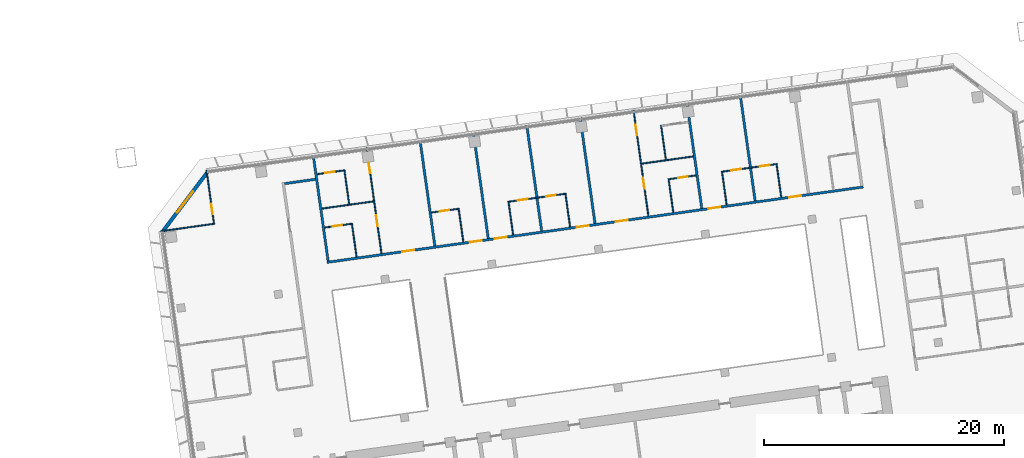
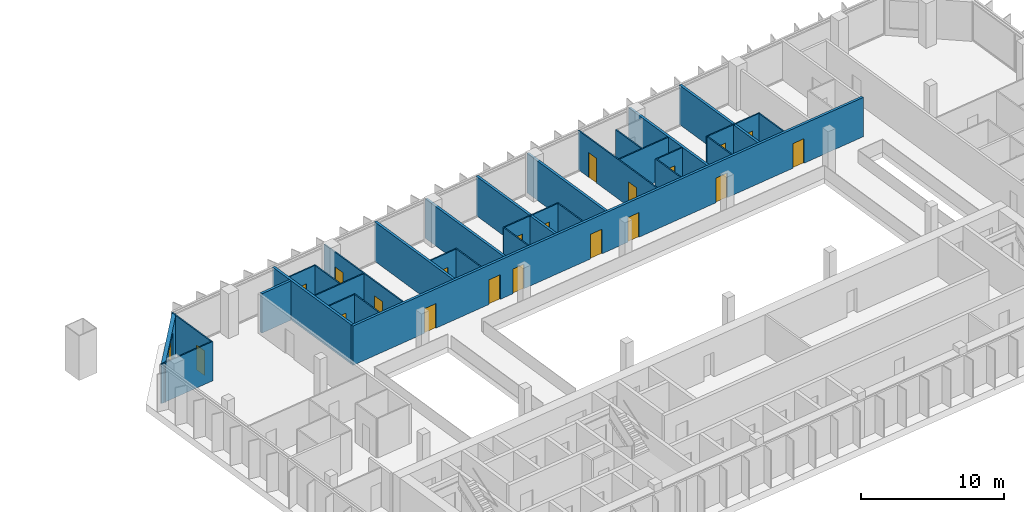
# One storey, part 20 of 25: 31 walls, 20 doors, 1 window, 21 openings.
"""IFC4 building model written with IfcOpenShell, lengths in metres."""

import ifcopenshell
import ifcopenshell.guid

model = None  # the IFC model being written
_history = None  # IfcOwnerHistory: only IFC2X3 demands one
_inside = {}  # id of a spatial element -> (the spatial element, [elements in it])
_under = {}  # id of a project, library or spatial element -> (it, [spatial elements below it])
_declared = {}  # id of a project -> (the project, [libraries it declares])
_typed = {}  # id of a type object -> (the type object, [elements of that type])
_made_of = {}  # id of a material, layer set ... -> (it, [elements and type objects made of it])


def new_model(schema):
    """Start an empty IFC model of exactly this schema.

    Asked for "IFC4X3", IfcOpenShell would pick the latest addendum, in which some entities
    have other attributes; the version numbers below select the first issue.
    IFC2X3 requires an IfcOwnerHistory on every rooted entity: one is made here for all.
    """
    global model, _history
    if schema == "IFC4X3":
        model = ifcopenshell.file(schema_version=(4, 3, 0, 0))
    else:
        model = ifcopenshell.file(schema=schema)
    _inside.clear()
    _under.clear()
    _declared.clear()
    _typed.clear()
    _made_of.clear()
    _history = None
    if model.schema == "IFC2X3":
        org = make("IfcOrganization", Name="unknown")
        user = make(
            "IfcPersonAndOrganization",
            ThePerson=make("IfcPerson", FamilyName="unknown"),
            TheOrganization=org,
        )
        app = make(
            "IfcApplication",
            ApplicationDeveloper=org,
            Version="unknown",
            ApplicationFullName="unknown",
            ApplicationIdentifier="unknown",
        )
        _history = make(
            "IfcOwnerHistory",
            OwningUser=user,
            OwningApplication=app,
            ChangeAction="ADDED",
            CreationDate=0,
        )
    return model


def make(cls, **values):
    """One entity of the class cls with the attributes given. An attribute that is None is left unset."""
    return model.create_entity(
        cls, **{name: value for name, value in values.items() if value is not None}
    )


def rooted(cls, **values):
    """An entity with a GlobalId (a new one), such as an element, a storey or a relation."""
    return make(cls, GlobalId=ifcopenshell.guid.new(), OwnerHistory=_history, **values)


def si_unit(unit_type, name, prefix=None):
    """IfcSIUnit, for example si_unit("LENGTHUNIT", "METRE", prefix="MILLI")."""
    return make("IfcSIUnit", UnitType=unit_type, Prefix=prefix, Name=name)


def assignment(units):
    """IfcUnitAssignment: the units of a project."""
    return None if units is None else make("IfcUnitAssignment", Units=units)


def point(xyz):
    """IfcCartesianPoint."""
    return None if xyz is None else make("IfcCartesianPoint", Coordinates=xyz)


def direction(xyz):
    """IfcDirection."""
    return None if xyz is None else make("IfcDirection", DirectionRatios=xyz)


def frame(location, z_axis=None, x_axis=None):
    """IfcAxis2Placement3D, a coordinate frame: its origin and axes. An axis left out is left unset."""
    return make(
        "IfcAxis2Placement3D",
        Location=point(location),
        Axis=direction(z_axis),
        RefDirection=direction(x_axis),
    )


def frame_2d(location, x_axis=None):
    """IfcAxis2Placement2D, a coordinate frame in the plane: its origin and x axis."""
    return make(
        "IfcAxis2Placement2D", Location=point(location), RefDirection=direction(x_axis)
    )


def origin():
    """The frame at (0, 0, 0) with its axes left unset."""
    return frame((0.0, 0.0, 0.0))


def place(relative_to, where):
    """IfcLocalPlacement: puts the frame where relative to a parent placement (None: the world)."""
    return make(
        "IfcLocalPlacement", PlacementRelTo=relative_to, RelativePlacement=where
    )


def context(
    kind, dimensions, precision=None, world=None, true_north=None, identifier=None
):
    """IfcGeometricRepresentationContext, for example the 3D "Model" context."""
    return make(
        "IfcGeometricRepresentationContext",
        ContextIdentifier=identifier,
        ContextType=kind,
        CoordinateSpaceDimension=dimensions,
        Precision=precision,
        WorldCoordinateSystem=world,
        TrueNorth=true_north,
    )


def subcontext(parent, identifier, kind, view, scale=None):
    """IfcGeometricRepresentationSubContext, for example "Body" below "Model"."""
    return make(
        "IfcGeometricRepresentationSubContext",
        ContextIdentifier=identifier,
        ContextType=kind,
        ParentContext=parent,
        TargetScale=scale,
        TargetView=view,
    )


def project(units=None, contexts=None):
    """IfcProject with its units and contexts."""
    return rooted(
        "IfcProject",
        Name="project",
        RepresentationContexts=contexts,
        UnitsInContext=assignment(units),
    )


def spatial(cls, under=None, at=None, **own):
    """A site, building, storey or space (cls), placed at a placement, below another one or the project."""
    s = rooted(cls, ObjectPlacement=at, **own)
    if under is not None:
        _under.setdefault(under.id(), (under, []))[1].append(s)
    return s


def profile(cls, at=None, kind="AREA", **sizes):
    """A parametric profile (cls). Its sizes go by their IFC names, for example OverallWidth=200.0."""
    return make(cls, ProfileType=kind, Position=at, **sizes)


def rectangle(**sizes):
    """IfcRectangleProfileDef."""
    return profile("IfcRectangleProfileDef", **sizes)


def extrude(swept, where, along, depth):
    """IfcExtrudedAreaSolid: the profile swept, set in the frame where, extruded along a direction by depth."""
    return make(
        "IfcExtrudedAreaSolid",
        SweptArea=swept,
        Position=where,
        ExtrudedDirection=direction(along),
        Depth=depth,
    )


def shape(context_of_items, identifier, shape_type, items):
    """IfcShapeRepresentation: the items that make up one representation, for example the "Body"."""
    return make(
        "IfcShapeRepresentation",
        ContextOfItems=context_of_items,
        RepresentationIdentifier=identifier,
        RepresentationType=shape_type,
        Items=items,
    )


def material(Name=None, Category=None):
    """IfcMaterial."""
    return make("IfcMaterial", Name=Name, Category=Category)


def layer(
    of_material, thickness, ventilated=None, Name=None, Category=None, Priority=None
):
    """IfcMaterialLayer: one layer of a wall or slab, of a material (None: an air gap)."""
    return make(
        "IfcMaterialLayer",
        Material=of_material,
        LayerThickness=thickness,
        IsVentilated=ventilated,
        Name=Name,
        Category=Category,
        Priority=Priority,
    )


def layer_set(layers, Name=None):
    """IfcMaterialLayerSet."""
    return make("IfcMaterialLayerSet", MaterialLayers=layers, LayerSetName=Name)


def made_of(thing, what):
    """Note that an element or type object is made of a material, layer set ...; save() writes the relation."""
    if what is not None:
        _made_of.setdefault(what.id(), (what, []))[1].append(thing)
    return thing


def type_object(cls, material=None, **own):
    """A type object (cls), such as IfcWallType, which elements share."""
    return made_of(rooted(cls, **own), material)


def element(
    cls,
    number,
    at=None,
    inside=None,
    cuts=None,
    type_object=None,
    material=None,
    context=None,
    identifier="Body",
    shape_type=None,
    held_by="IfcProductDefinitionShape",
    body=None,
    shapes=None,
    **own,
):
    """One element of the class cls, such as IfcWall. Its Tag is "e" and its number.

    at: its placement. inside: the storey or other place that contains it. cuts: it is an
    opening in that element (IfcRelVoidsElement). A single representation is given by context,
    identifier, shape_type and body (its items); several are given by shapes. held_by: the class
    of the entity that holds the representations. save() writes the other relations.
    """
    e = rooted(cls, Tag="e%d" % number, ObjectPlacement=at, **own)
    if body is not None:
        shapes = [shape(context, identifier, shape_type, body)]
    if shapes is not None:
        e.Representation = make(held_by, Representations=shapes)
    if inside is not None:
        _inside.setdefault(inside.id(), (inside, []))[1].append(e)
    if cuts is not None:
        rooted(
            "IfcRelVoidsElement", RelatingBuildingElement=cuts, RelatedOpeningElement=e
        )
    if type_object is not None:
        _typed.setdefault(type_object.id(), (type_object, []))[1].append(e)
    return made_of(e, material)


def fill(opening, filler):
    """IfcRelFillsElement: the door or window that sits in an opening."""
    return rooted(
        "IfcRelFillsElement",
        RelatingOpeningElement=opening,
        RelatedBuildingElement=filler,
    )


def aggregate(whole, parts):
    """IfcRelAggregates: a whole, such as a stair, and the parts it consists of."""
    return rooted("IfcRelAggregates", RelatingObject=whole, RelatedObjects=parts)


def save(model, path):
    """Write the relations noted so far, then the file.

    IfcRelAggregates (storeys below a building ...), IfcRelContainedInSpatialStructure (elements
    in a storey), IfcRelDefinesByType, IfcRelAssociatesMaterial and IfcRelDeclares: one each for
    every whole, place, type object, material and project.
    """
    for whole, parts in _under.values():
        aggregate(whole, parts)
    for where, things in _inside.values():
        rooted(
            "IfcRelContainedInSpatialStructure",
            RelatedElements=things,
            RelatingStructure=where,
        )
    for kind, things in _typed.values():
        rooted("IfcRelDefinesByType", RelatedObjects=things, RelatingType=kind)
    for what, things in _made_of.values():
        rooted("IfcRelAssociatesMaterial", RelatedObjects=things, RelatingMaterial=what)
    for by, libraries in _declared.values():
        rooted("IfcRelDeclares", RelatingContext=by, RelatedDefinitions=libraries)
    model.write(path)


model = new_model("IFC4")

# Units and contexts
model_context = context("Model", 3, precision=1e-05, world=origin(), true_north=direction((0.0, 1.0)))
body_context = subcontext(model_context, "Body", "Model", "MODEL_VIEW")
ifc_project = project(units=[si_unit("LENGTHUNIT", "METRE"), si_unit("AREAUNIT", "SQUARE_METRE"), si_unit("VOLUMEUNIT", "CUBIC_METRE"), si_unit("PLANEANGLEUNIT", "RADIAN"), si_unit("MASSUNIT", "GRAM", prefix="KILO")], contexts=[model_context])

# Site, building, storey
site_placement = place(None, origin())
site = spatial("IfcSite", under=ifc_project, at=site_placement, CompositionType="ELEMENT")
building_placement = place(site_placement, origin())
building = spatial("IfcBuilding", under=site, at=building_placement, Name="Mirante Cascada Hotel Towers", CompositionType="ELEMENT")
storey_placement = place(building_placement, frame((0.0, 0.0, 102.5)))
storey = spatial("IfcBuildingStorey", under=building, at=storey_placement, Name="L22", CompositionType="ELEMENT", Elevation=102.5)

# Wall, openings, doors
ifc_material_1 = material(Name="Fire-rated plasterboard on metal studs")
ifc_layer_1 = layer(ifc_material_1, 0.2)
ifc_layer_set_1 = layer_set([ifc_layer_1], Name="Compartment wall 200 EI 120")
wall_type_1 = type_object("IfcWallType", Name="Compartment wall 200 EI 120", PredefinedType="PARTITIONING", material=ifc_layer_set_1)
wall_1_placement = place(storey_placement, frame((86.638, 16.0582, 0.0), z_axis=(0.0, 0.0, 1.0), x_axis=(-0.9902681, -0.1391726, 0.0)))
wall_1 = element("IfcWall", 1, at=wall_1_placement, inside=storey, type_object=wall_type_1, Name="Wall 2-L22-18", PredefinedType="PARTITIONING", context=body_context, shape_type="SweptSolid", body=[
    extrude(rectangle(XDim=45.2, YDim=0.2, at=frame_2d((22.6, 0.0))), origin(), (0.0, 0.0, 1.0), 3.35),
])
opening_1_placement = place(wall_1_placement, frame((37.85, 0.0, 0.0)))
opening_1 = element("IfcOpeningElement", 2, at=opening_1_placement, cuts=wall_1, Name="Opening D2-L22-09", PredefinedType="OPENING", context=body_context, shape_type="SweptSolid", body=[
    extrude(rectangle(XDim=1.0, YDim=2.1, at=frame_2d((0.5, 1.05))), frame((0.0, 0.1, 0.0), z_axis=(0.0, -1.0, 0.0), x_axis=(1.0, 0.0, 0.0)), (0.0, 0.0, 1.0), 0.2),
])
opening_2_placement = place(wall_1_placement, frame((32.15, 0.0, 0.0)))
opening_2 = element("IfcOpeningElement", 3, at=opening_2_placement, cuts=wall_1, Name="Opening D2-L22-10", PredefinedType="OPENING", context=body_context, shape_type="SweptSolid", body=[
    extrude(rectangle(XDim=1.0, YDim=2.1, at=frame_2d((0.5, 1.05))), frame((0.0, 0.1, 0.0), z_axis=(0.0, -1.0, 0.0), x_axis=(1.0, 0.0, 0.0)), (0.0, 0.0, 1.0), 0.2),
])
opening_3_placement = place(wall_1_placement, frame((30.05, 0.0, 0.0)))
opening_3 = element("IfcOpeningElement", 4, at=opening_3_placement, cuts=wall_1, Name="Opening D2-L22-11", PredefinedType="OPENING", context=body_context, shape_type="SweptSolid", body=[
    extrude(rectangle(XDim=1.0, YDim=2.1, at=frame_2d((0.5, 1.05))), frame((0.0, 0.1, 0.0), z_axis=(0.0, -1.0, 0.0), x_axis=(1.0, 0.0, 0.0)), (0.0, 0.0, 1.0), 0.2),
])
opening_4_placement = place(wall_1_placement, frame((23.15, 0.0, 0.0)))
opening_4 = element("IfcOpeningElement", 5, at=opening_4_placement, cuts=wall_1, Name="Opening D2-L22-12", PredefinedType="OPENING", context=body_context, shape_type="SweptSolid", body=[
    extrude(rectangle(XDim=1.0, YDim=2.1, at=frame_2d((0.5, 1.05))), frame((0.0, 0.1, 0.0), z_axis=(0.0, -1.0, 0.0), x_axis=(1.0, 0.0, 0.0)), (0.0, 0.0, 1.0), 0.2),
])
opening_5_placement = place(wall_1_placement, frame((19.85, 0.0, 0.0)))
opening_5 = element("IfcOpeningElement", 6, at=opening_5_placement, cuts=wall_1, Name="Opening D2-L22-13", PredefinedType="OPENING", context=body_context, shape_type="SweptSolid", body=[
    extrude(rectangle(XDim=1.0, YDim=2.1, at=frame_2d((0.5, 1.05))), frame((0.0, 0.1, 0.0), z_axis=(0.0, -1.0, 0.0), x_axis=(1.0, 0.0, 0.0)), (0.0, 0.0, 1.0), 0.2),
])
opening_6_placement = place(wall_1_placement, frame((12.05, 0.0, 0.0)))
opening_6 = element("IfcOpeningElement", 7, at=opening_6_placement, cuts=wall_1, Name="Opening D2-L22-14", PredefinedType="OPENING", context=body_context, shape_type="SweptSolid", body=[
    extrude(rectangle(XDim=1.0, YDim=2.1, at=frame_2d((0.5, 1.05))), frame((0.0, 0.1, 0.0), z_axis=(0.0, -1.0, 0.0), x_axis=(1.0, 0.0, 0.0)), (0.0, 0.0, 1.0), 0.2),
])
opening_7_placement = place(wall_1_placement, frame((5.25, 0.0, 0.0)))
opening_7 = element("IfcOpeningElement", 8, at=opening_7_placement, cuts=wall_1, Name="Opening D2-L22-15", PredefinedType="OPENING", context=body_context, shape_type="SweptSolid", body=[
    extrude(rectangle(XDim=1.0, YDim=2.1, at=frame_2d((0.5, 1.05))), frame((0.0, 0.1, 0.0), z_axis=(0.0, -1.0, 0.0), x_axis=(1.0, 0.0, 0.0)), (0.0, 0.0, 1.0), 0.2),
])
ifc_material_2 = material(Name="Fire-rated timber door leaf", Category="wood")
door_type_1 = type_object("IfcDoorType", Name="Entrance door DG1 1000x2100 EI 60", OperationType="SINGLE_SWING_LEFT", PredefinedType="DOOR", material=ifc_material_2)
door_1_placement = place(opening_1_placement, frame((1.0, 0.0, 0.0), z_axis=(0.0, 0.0, 1.0), x_axis=(-1.0, 0.0, 0.0)))
door_1 = element("IfcDoor", 9, at=door_1_placement, inside=storey, type_object=door_type_1, Name="Door D2-L22-09", OperationType="SINGLE_SWING_RIGHT", OverallHeight=2.1, OverallWidth=1.0, PredefinedType="DOOR", context=body_context, shape_type="SweptSolid", body=[
    extrude(rectangle(XDim=1.0, YDim=2.1, at=frame_2d((0.5, 1.05))), frame((0.0, 0.025, 0.0), z_axis=(0.0, -1.0, 0.0), x_axis=(1.0, 0.0, 0.0)), (0.0, 0.0, 1.0), 0.05),
])
fill(opening_1, door_1)
door_2_placement = place(opening_2_placement, frame((1.0, 0.0, 0.0), z_axis=(0.0, 0.0, 1.0), x_axis=(-1.0, 0.0, 0.0)))
door_2 = element("IfcDoor", 10, at=door_2_placement, inside=storey, type_object=door_type_1, Name="Door D2-L22-10", OperationType="SINGLE_SWING_RIGHT", OverallHeight=2.1, OverallWidth=1.0, PredefinedType="DOOR", context=body_context, shape_type="SweptSolid", body=[
    extrude(rectangle(XDim=1.0, YDim=2.1, at=frame_2d((0.5, 1.05))), frame((0.0, 0.025, 0.0), z_axis=(0.0, -1.0, 0.0), x_axis=(1.0, 0.0, 0.0)), (0.0, 0.0, 1.0), 0.05),
])
fill(opening_2, door_2)
door_3_placement = place(opening_3_placement, frame((1.0, 0.0, 0.0), z_axis=(0.0, 0.0, 1.0), x_axis=(-1.0, 0.0, 0.0)))
door_3 = element("IfcDoor", 11, at=door_3_placement, inside=storey, type_object=door_type_1, Name="Door D2-L22-11", OperationType="SINGLE_SWING_RIGHT", OverallHeight=2.1, OverallWidth=1.0, PredefinedType="DOOR", context=body_context, shape_type="SweptSolid", body=[
    extrude(rectangle(XDim=1.0, YDim=2.1, at=frame_2d((0.5, 1.05))), frame((0.0, 0.025, 0.0), z_axis=(0.0, -1.0, 0.0), x_axis=(1.0, 0.0, 0.0)), (0.0, 0.0, 1.0), 0.05),
])
fill(opening_3, door_3)
door_4_placement = place(opening_4_placement, frame((1.0, 0.0, 0.0), z_axis=(0.0, 0.0, 1.0), x_axis=(-1.0, 0.0, 0.0)))
door_4 = element("IfcDoor", 12, at=door_4_placement, inside=storey, type_object=door_type_1, Name="Door D2-L22-12", OperationType="SINGLE_SWING_RIGHT", OverallHeight=2.1, OverallWidth=1.0, PredefinedType="DOOR", context=body_context, shape_type="SweptSolid", body=[
    extrude(rectangle(XDim=1.0, YDim=2.1, at=frame_2d((0.5, 1.05))), frame((0.0, 0.025, 0.0), z_axis=(0.0, -1.0, 0.0), x_axis=(1.0, 0.0, 0.0)), (0.0, 0.0, 1.0), 0.05),
])
fill(opening_4, door_4)
door_5_placement = place(opening_5_placement, frame((1.0, 0.0, 0.0), z_axis=(0.0, 0.0, 1.0), x_axis=(-1.0, 0.0, 0.0)))
door_5 = element("IfcDoor", 13, at=door_5_placement, inside=storey, type_object=door_type_1, Name="Door D2-L22-13", OperationType="SINGLE_SWING_RIGHT", OverallHeight=2.1, OverallWidth=1.0, PredefinedType="DOOR", context=body_context, shape_type="SweptSolid", body=[
    extrude(rectangle(XDim=1.0, YDim=2.1, at=frame_2d((0.5, 1.05))), frame((0.0, 0.025, 0.0), z_axis=(0.0, -1.0, 0.0), x_axis=(1.0, 0.0, 0.0)), (0.0, 0.0, 1.0), 0.05),
])
fill(opening_5, door_5)
door_6_placement = place(opening_6_placement, frame((1.0, 0.0, 0.0), z_axis=(0.0, 0.0, 1.0), x_axis=(-1.0, 0.0, 0.0)))
door_6 = element("IfcDoor", 14, at=door_6_placement, inside=storey, type_object=door_type_1, Name="Door D2-L22-14", OperationType="SINGLE_SWING_RIGHT", OverallHeight=2.1, OverallWidth=1.0, PredefinedType="DOOR", context=body_context, shape_type="SweptSolid", body=[
    extrude(rectangle(XDim=1.0, YDim=2.1, at=frame_2d((0.5, 1.05))), frame((0.0, 0.025, 0.0), z_axis=(0.0, -1.0, 0.0), x_axis=(1.0, 0.0, 0.0)), (0.0, 0.0, 1.0), 0.05),
])
fill(opening_6, door_6)
door_7_placement = place(opening_7_placement, frame((1.0, 0.0, 0.0), z_axis=(0.0, 0.0, 1.0), x_axis=(-1.0, 0.0, 0.0)))
door_7 = element("IfcDoor", 15, at=door_7_placement, inside=storey, type_object=door_type_1, Name="Door D2-L22-15", OperationType="SINGLE_SWING_RIGHT", OverallHeight=2.1, OverallWidth=1.0, PredefinedType="DOOR", context=body_context, shape_type="SweptSolid", body=[
    extrude(rectangle(XDim=1.0, YDim=2.1, at=frame_2d((0.5, 1.05))), frame((0.0, 0.025, 0.0), z_axis=(0.0, -1.0, 0.0), x_axis=(1.0, 0.0, 0.0)), (0.0, 0.0, 1.0), 0.05),
])
fill(opening_7, door_7)

# Walls
wall_2_placement = place(storey_placement, frame((40.9036, 16.6995, 0.0), z_axis=(0.0, 0.0, 1.0), x_axis=(-0.9902647, -0.1391971, 0.0)))
element("IfcWall", 16, at=wall_2_placement, inside=storey, type_object=wall_type_1, Name="Wall 2-L22-28", PredefinedType="PARTITIONING", context=body_context, shape_type="SweptSolid", body=[
    extrude(rectangle(XDim=2.5999, YDim=0.2, at=frame_2d((1.3, 0.0))), origin(), (0.0, 0.0, 1.0), 3.35),
])
for number, where, z_axis, x_axis, name in (
    (17, (41.963, 9.8805, 0.0), (0.0, 0.0, 1.0), (-0.1391794, 0.9902672, 0.0), "Wall 2-L22-39"),
    (18, (50.8754, 11.1331, 0.0), (0.0, 0.0, 1.0), (-0.1391794, 0.9902672, 0.0), "Wall 2-L22-43"),
    (19, (55.3316, 11.7594, 0.0), (0.0, 0.0, 1.0), (-0.1391794, 0.9902672, 0.0), "Wall 2-L22-45"),
):
    element("IfcWall", number, at=place(storey_placement, frame(where, z_axis=z_axis, x_axis=x_axis)), inside=storey, type_object=wall_type_1, Name=name, PredefinedType="PARTITIONING", context=body_context, shape_type="SweptSolid", body=[
        extrude(rectangle(XDim=8.9, YDim=0.2, at=frame_2d((4.45, 0.0))), origin(), (0.0, 0.0, 1.0), 3.35),
    ])
wall_3_placement = place(storey_placement, frame((59.7878, 12.3857, 0.0), z_axis=(0.0, 0.0, 1.0), x_axis=(-0.13917, 0.9902685, 0.0)))
element("IfcWall", 20, at=wall_3_placement, inside=storey, type_object=wall_type_1, Name="Wall 2-L22-47", PredefinedType="PARTITIONING", context=body_context, shape_type="SweptSolid", body=[
    extrude(rectangle(XDim=8.8999, YDim=0.2, at=frame_2d((4.45, 0.0))), origin(), (0.0, 0.0, 1.0), 3.35),
])
for number, where, z_axis, x_axis, name in (
    (21, (64.244, 13.0119, 0.0), (0.0, 0.0, 1.0), (-0.1391684, 0.9902687, 0.0), "Wall 2-L22-49"),
    (22, (73.1564, 14.2645, 0.0), (0.0, 0.0, 1.0), (-0.1391684, 0.9902687, 0.0), "Wall 2-L22-53"),
    (23, (77.6126, 14.8908, 0.0), (0.0, 0.0, 1.0), (-0.1391684, 0.9902687, 0.0), "Wall 2-L22-55"),
):
    element("IfcWall", number, at=place(storey_placement, frame(where, z_axis=z_axis, x_axis=x_axis)), inside=storey, type_object=wall_type_1, Name=name, PredefinedType="PARTITIONING", context=body_context, shape_type="SweptSolid", body=[
        extrude(rectangle(XDim=8.9, YDim=0.2, at=frame_2d((4.45, 0.0))), origin(), (0.0, 0.0, 1.0), 3.35),
    ])

# Wall, opening, door
ifc_material_3 = material(Name="Plasterboard on metal studs")
ifc_layer_2 = layer(ifc_material_3, 0.1)
ifc_layer_set_2 = layer_set([ifc_layer_2], Name="Partition 100")
wall_type_2 = type_object("IfcWallType", Name="Partition 100", PredefinedType="PARTITIONING", material=ifc_layer_set_2)
wall_4_placement = place(storey_placement, frame((41.6723, 12.6672, 0.0), z_axis=(0.0, 0.0, 1.0), x_axis=(0.9902643, 0.1391997, 0.0)))
wall_4 = element("IfcWall", 24, at=wall_4_placement, inside=storey, type_object=wall_type_2, Name="Wall 2-L22-19", PredefinedType="PARTITIONING", context=body_context, shape_type="SweptSolid", body=[
    extrude(rectangle(XDim=2.25, YDim=0.1, at=frame_2d((1.125, 0.0))), origin(), (0.0, 0.0, 1.0), 3.35),
])
opening_8_placement = place(wall_4_placement, frame((0.7, 0.0, 0.0)))
opening_8 = element("IfcOpeningElement", 25, at=opening_8_placement, cuts=wall_4, Name="Opening D2-L22-16", PredefinedType="OPENING", context=body_context, shape_type="SweptSolid", body=[
    extrude(rectangle(XDim=0.8, YDim=2.1, at=frame_2d((0.4, 1.05))), frame((0.0, 0.05, 0.0), z_axis=(0.0, -1.0, 0.0), x_axis=(1.0, 0.0, 0.0)), (0.0, 0.0, 1.0), 0.1),
])
ifc_material_4 = material(Name="Timber door leaf", Category="wood")
door_type_2 = type_object("IfcDoorType", Name="Bathroom door DG4 800x2100", OperationType="SINGLE_SWING_LEFT", PredefinedType="DOOR", material=ifc_material_4)
door_8_placement = place(opening_8_placement, frame((0.8, 0.0, 0.0), z_axis=(0.0, 0.0, 1.0), x_axis=(-1.0, 0.0, 0.0)))
door_8 = element("IfcDoor", 26, at=door_8_placement, inside=storey, type_object=door_type_2, Name="Door D2-L22-16", OperationType="SINGLE_SWING_RIGHT", OverallHeight=2.1, OverallWidth=0.8, PredefinedType="DOOR", context=body_context, shape_type="SweptSolid", body=[
    extrude(rectangle(XDim=0.8, YDim=2.1, at=frame_2d((0.4, 1.05))), frame((0.0, 0.025, 0.0), z_axis=(0.0, -1.0, 0.0), x_axis=(1.0, 0.0, 0.0)), (0.0, 0.0, 1.0), 0.05),
])
fill(opening_8, door_8)

wall_5_placement = place(storey_placement, frame((52.8128, 14.2329, 0.0), z_axis=(0.0, 0.0, 1.0), x_axis=(-0.9902705, -0.1391561, 0.0)))
wall_5 = element("IfcWall", 27, at=wall_5_placement, inside=storey, type_object=wall_type_2, Name="Wall 2-L22-20", PredefinedType="PARTITIONING", context=body_context, shape_type="SweptSolid", body=[
    extrude(rectangle(XDim=2.25, YDim=0.1, at=frame_2d((1.125, 0.0))), origin(), (0.0, 0.0, 1.0), 3.35),
])
opening_9_placement = place(wall_5_placement, frame((0.75, 0.0, 0.0)))
opening_9 = element("IfcOpeningElement", 28, at=opening_9_placement, cuts=wall_5, Name="Opening D2-L22-17", PredefinedType="OPENING", context=body_context, shape_type="SweptSolid", body=[
    extrude(rectangle(XDim=0.8, YDim=2.1, at=frame_2d((0.4, 1.05))), frame((0.0, 0.05, 0.0), z_axis=(0.0, -1.0, 0.0), x_axis=(1.0, 0.0, 0.0)), (0.0, 0.0, 1.0), 0.1),
])
door_9_placement = place(opening_9_placement, frame((0.8, 0.0, 0.0), z_axis=(0.0, 0.0, 1.0), x_axis=(-1.0, 0.0, 0.0)))
door_9 = element("IfcDoor", 29, at=door_9_placement, inside=storey, type_object=door_type_2, Name="Door D2-L22-17", OperationType="SINGLE_SWING_RIGHT", OverallHeight=2.1, OverallWidth=0.8, PredefinedType="DOOR", context=body_context, shape_type="SweptSolid", body=[
    extrude(rectangle(XDim=0.8, YDim=2.1, at=frame_2d((0.4, 1.05))), frame((0.0, 0.025, 0.0), z_axis=(0.0, -1.0, 0.0), x_axis=(1.0, 0.0, 0.0)), (0.0, 0.0, 1.0), 0.05),
])
fill(opening_9, door_9)

# Wall, openings, doors
wall_6_placement = place(storey_placement, frame((56.972, 14.8174, 0.0), z_axis=(0.0, 0.0, 1.0), x_axis=(0.9902666, 0.1391838, 0.0)))
wall_6 = element("IfcWall", 30, at=wall_6_placement, inside=storey, type_object=wall_type_2, Name="Wall 2-L22-21", PredefinedType="PARTITIONING", context=body_context, shape_type="SweptSolid", body=[
    extrude(rectangle(XDim=4.9, YDim=0.1, at=frame_2d((2.45, 0.0))), origin(), (0.0, 0.0, 1.0), 3.35),
])
opening_10_placement = place(wall_6_placement, frame((0.85, 0.0, 0.0)))
opening_10 = element("IfcOpeningElement", 31, at=opening_10_placement, cuts=wall_6, Name="Opening D2-L22-18", PredefinedType="OPENING", context=body_context, shape_type="SweptSolid", body=[
    extrude(rectangle(XDim=0.8, YDim=2.1, at=frame_2d((0.4, 1.05))), frame((0.0, 0.05, 0.0), z_axis=(0.0, -1.0, 0.0), x_axis=(1.0, 0.0, 0.0)), (0.0, 0.0, 1.0), 0.1),
])
opening_11_placement = place(wall_6_placement, frame((3.25, 0.0, 0.0)))
opening_11 = element("IfcOpeningElement", 32, at=opening_11_placement, cuts=wall_6, Name="Opening D2-L22-19", PredefinedType="OPENING", context=body_context, shape_type="SweptSolid", body=[
    extrude(rectangle(XDim=0.8, YDim=2.1, at=frame_2d((0.4, 1.05))), frame((0.0, 0.05, 0.0), z_axis=(0.0, -1.0, 0.0), x_axis=(1.0, 0.0, 0.0)), (0.0, 0.0, 1.0), 0.1),
])
door_10_placement = place(opening_10_placement, origin())
door_10 = element("IfcDoor", 33, at=door_10_placement, inside=storey, type_object=door_type_2, Name="Door D2-L22-18", OperationType="SINGLE_SWING_LEFT", OverallHeight=2.1, OverallWidth=0.8, PredefinedType="DOOR", context=body_context, shape_type="SweptSolid", body=[
    extrude(rectangle(XDim=0.8, YDim=2.1, at=frame_2d((0.4, 1.05))), frame((0.0, 0.025, 0.0), z_axis=(0.0, -1.0, 0.0), x_axis=(1.0, 0.0, 0.0)), (0.0, 0.0, 1.0), 0.05),
])
fill(opening_10, door_10)
door_11_placement = place(opening_11_placement, origin())
door_11 = element("IfcDoor", 34, at=door_11_placement, inside=storey, type_object=door_type_2, Name="Door D2-L22-19", OperationType="SINGLE_SWING_LEFT", OverallHeight=2.1, OverallWidth=0.8, PredefinedType="DOOR", context=body_context, shape_type="SweptSolid", body=[
    extrude(rectangle(XDim=0.8, YDim=2.1, at=frame_2d((0.4, 1.05))), frame((0.0, 0.025, 0.0), z_axis=(0.0, -1.0, 0.0), x_axis=(1.0, 0.0, 0.0)), (0.0, 0.0, 1.0), 0.05),
])
fill(opening_11, door_11)

# Wall, opening, door
wall_7_placement = place(storey_placement, frame((72.6677, 17.0233, 0.0), z_axis=(0.0, 0.0, 1.0), x_axis=(-0.9902705, -0.1391561, 0.0)))
wall_7 = element("IfcWall", 35, at=wall_7_placement, inside=storey, type_object=wall_type_2, Name="Wall 2-L22-22", PredefinedType="PARTITIONING", context=body_context, shape_type="SweptSolid", body=[
    extrude(rectangle(XDim=2.25, YDim=0.1, at=frame_2d((1.125, 0.0))), origin(), (0.0, 0.0, 1.0), 3.35),
])
opening_12_placement = place(wall_7_placement, frame((0.7, 0.0, 0.0)))
opening_12 = element("IfcOpeningElement", 36, at=opening_12_placement, cuts=wall_7, Name="Opening D2-L22-20", PredefinedType="OPENING", context=body_context, shape_type="SweptSolid", body=[
    extrude(rectangle(XDim=0.8, YDim=2.1, at=frame_2d((0.4, 1.05))), frame((0.0, 0.05, 0.0), z_axis=(0.0, -1.0, 0.0), x_axis=(1.0, 0.0, 0.0)), (0.0, 0.0, 1.0), 0.1),
])
door_12_placement = place(opening_12_placement, origin())
door_12 = element("IfcDoor", 37, at=door_12_placement, inside=storey, type_object=door_type_2, Name="Door D2-L22-20", OperationType="SINGLE_SWING_LEFT", OverallHeight=2.1, OverallWidth=0.8, PredefinedType="DOOR", context=body_context, shape_type="SweptSolid", body=[
    extrude(rectangle(XDim=0.8, YDim=2.1, at=frame_2d((0.4, 1.05))), frame((0.0, 0.025, 0.0), z_axis=(0.0, -1.0, 0.0), x_axis=(1.0, 0.0, 0.0)), (0.0, 0.0, 1.0), 0.05),
])
fill(opening_12, door_12)

# Wall, openings, doors
wall_8_placement = place(storey_placement, frame((74.7968, 17.3226, 0.0), z_axis=(0.0, 0.0, 1.0), x_axis=(0.9902682, 0.139172, 0.0)))
wall_8 = element("IfcWall", 38, at=wall_8_placement, inside=storey, type_object=wall_type_2, Name="Wall 2-L22-23", PredefinedType="PARTITIONING", context=body_context, shape_type="SweptSolid", body=[
    extrude(rectangle(XDim=4.6999, YDim=0.1, at=frame_2d((2.35, 0.0))), origin(), (0.0, 0.0, 1.0), 3.35),
])
opening_13_placement = place(wall_8_placement, frame((0.85, 0.0, 0.0)))
opening_13 = element("IfcOpeningElement", 39, at=opening_13_placement, cuts=wall_8, Name="Opening D2-L22-21", PredefinedType="OPENING", context=body_context, shape_type="SweptSolid", body=[
    extrude(rectangle(XDim=0.8, YDim=2.1, at=frame_2d((0.4, 1.05))), frame((0.0, 0.05, 0.0), z_axis=(0.0, -1.0, 0.0), x_axis=(1.0, 0.0, 0.0)), (0.0, 0.0, 1.0), 0.1),
])
opening_14_placement = place(wall_8_placement, frame((3.25, 0.0, 0.0)))
opening_14 = element("IfcOpeningElement", 40, at=opening_14_placement, cuts=wall_8, Name="Opening D2-L22-22", PredefinedType="OPENING", context=body_context, shape_type="SweptSolid", body=[
    extrude(rectangle(XDim=0.8, YDim=2.1, at=frame_2d((0.4, 1.05))), frame((0.0, 0.05, 0.0), z_axis=(0.0, -1.0, 0.0), x_axis=(1.0, 0.0, 0.0)), (0.0, 0.0, 1.0), 0.1),
])
door_13_placement = place(opening_13_placement, origin())
door_13 = element("IfcDoor", 41, at=door_13_placement, inside=storey, type_object=door_type_2, Name="Door D2-L22-21", OperationType="SINGLE_SWING_LEFT", OverallHeight=2.1, OverallWidth=0.8, PredefinedType="DOOR", context=body_context, shape_type="SweptSolid", body=[
    extrude(rectangle(XDim=0.8, YDim=2.1, at=frame_2d((0.4, 1.05))), frame((0.0, 0.025, 0.0), z_axis=(0.0, -1.0, 0.0), x_axis=(1.0, 0.0, 0.0)), (0.0, 0.0, 1.0), 0.05),
])
fill(opening_13, door_13)
door_14_placement = place(opening_14_placement, origin())
door_14 = element("IfcDoor", 42, at=door_14_placement, inside=storey, type_object=door_type_2, Name="Door D2-L22-22", OperationType="SINGLE_SWING_LEFT", OverallHeight=2.1, OverallWidth=0.8, PredefinedType="DOOR", context=body_context, shape_type="SweptSolid", body=[
    extrude(rectangle(XDim=0.8, YDim=2.1, at=frame_2d((0.4, 1.05))), frame((0.0, 0.025, 0.0), z_axis=(0.0, -1.0, 0.0), x_axis=(1.0, 0.0, 0.0)), (0.0, 0.0, 1.0), 0.05),
])
fill(opening_14, door_14)

# Walls
wall_9_placement = place(storey_placement, frame((27.982, 12.3589, 0.0), z_axis=(0.0, 0.0, 1.0), x_axis=(0.9902691, 0.1391656, 0.0)))
element("IfcWall", 43, at=wall_9_placement, inside=storey, type_object=wall_type_2, Name="Wall 2-L22-25", PredefinedType="PARTITIONING", context=body_context, shape_type="SweptSolid", body=[
    extrude(rectangle(XDim=4.55, YDim=0.1, at=frame_2d((2.275, 0.0))), origin(), (0.0, 0.0, 1.0), 3.35),
])
wall_10_placement = place(storey_placement, frame((45.7573, 14.857, 0.0), z_axis=(0.0, 0.0, 1.0), x_axis=(-0.9902683, -0.1391714, 0.0)))
element("IfcWall", 44, at=wall_10_placement, inside=storey, type_object=wall_type_2, Name="Wall 2-L22-26", PredefinedType="PARTITIONING", context=body_context, shape_type="SweptSolid", body=[
    extrude(rectangle(XDim=4.35, YDim=0.1, at=frame_2d((2.175, 0.0))), origin(), (0.0, 0.0, 1.0), 3.35),
])
wall_11_placement = place(storey_placement, frame((68.1374, 18.0024, 0.0), z_axis=(0.0, 0.0, 1.0), x_axis=(0.9902679, 0.1391745, 0.0)))
element("IfcWall", 45, at=wall_11_placement, inside=storey, type_object=wall_type_2, Name="Wall 2-L22-27", PredefinedType="PARTITIONING", context=body_context, shape_type="SweptSolid", body=[
    extrude(rectangle(XDim=4.3499, YDim=0.1, at=frame_2d((2.175, 0.0))), origin(), (0.0, 0.0, 1.0), 3.35),
])

# Wall, opening, door
wall_12_placement = place(storey_placement, frame((43.2741, 17.4366, 0.0), z_axis=(0.0, 0.0, 1.0), x_axis=(-0.9902643, -0.1391997, 0.0)))
wall_12 = element("IfcWall", 46, at=wall_12_placement, inside=storey, type_object=wall_type_2, Name="Wall 2-L22-30", PredefinedType="PARTITIONING", context=body_context, shape_type="SweptSolid", body=[
    extrude(rectangle(XDim=2.25, YDim=0.1, at=frame_2d((1.125, 0.0))), origin(), (0.0, 0.0, 1.0), 3.35),
])
opening_15_placement = place(wall_12_placement, frame((0.75, 0.0, 0.0)))
opening_15 = element("IfcOpeningElement", 47, at=opening_15_placement, cuts=wall_12, Name="Opening D2-L22-24", PredefinedType="OPENING", context=body_context, shape_type="SweptSolid", body=[
    extrude(rectangle(XDim=0.8, YDim=2.1, at=frame_2d((0.4, 1.05))), frame((0.0, 0.05, 0.0), z_axis=(0.0, -1.0, 0.0), x_axis=(1.0, 0.0, 0.0)), (0.0, 0.0, 1.0), 0.1),
])
door_15_placement = place(opening_15_placement, origin())
door_15 = element("IfcDoor", 48, at=door_15_placement, inside=storey, type_object=door_type_2, Name="Door D2-L22-24", OperationType="SINGLE_SWING_LEFT", OverallHeight=2.1, OverallWidth=0.8, PredefinedType="DOOR", context=body_context, shape_type="SweptSolid", body=[
    extrude(rectangle(XDim=0.8, YDim=2.1, at=frame_2d((0.4, 1.05))), frame((0.0, 0.025, 0.0), z_axis=(0.0, -1.0, 0.0), x_axis=(1.0, 0.0, 0.0)), (0.0, 0.0, 1.0), 0.05),
])
fill(opening_15, door_15)

wall_13_placement = place(storey_placement, frame((32.4312, 13.0347, 0.0), z_axis=(0.0, 0.0, 1.0), x_axis=(-0.1391684, 0.9902687, 0.0)))
wall_13 = element("IfcWall", 49, at=wall_13_placement, inside=storey, type_object=wall_type_2, Name="Wall 2-L22-35", PredefinedType="PARTITIONING", context=body_context, shape_type="SweptSolid", body=[
    extrude(rectangle(XDim=4.45, YDim=0.1, at=frame_2d((2.225, 0.0))), origin(), (0.0, 0.0, 1.0), 3.35),
])
opening_16_placement = place(wall_13_placement, frame((0.75, 0.0, 0.0)))
opening_16 = element("IfcOpeningElement", 50, at=opening_16_placement, cuts=wall_13, Name="Opening D2-L22-29", PredefinedType="OPENING", context=body_context, shape_type="SweptSolid", body=[
    extrude(rectangle(XDim=0.9, YDim=2.1, at=frame_2d((0.45, 1.05))), frame((0.0, 0.05, 0.0), z_axis=(0.0, -1.0, 0.0), x_axis=(1.0, 0.0, 0.0)), (0.0, 0.0, 1.0), 0.1),
])
ifc_material_5 = material(Name="Timber door leaf", Category="wood")
door_type_3 = type_object("IfcDoorType", Name="Room door DG3 900x2100", OperationType="SINGLE_SWING_LEFT", PredefinedType="DOOR", material=ifc_material_5)
door_16_placement = place(opening_16_placement, frame((0.9, 0.0, 0.0), z_axis=(0.0, 0.0, 1.0), x_axis=(-1.0, 0.0, 0.0)))
door_16 = element("IfcDoor", 51, at=door_16_placement, inside=storey, type_object=door_type_3, Name="Door D2-L22-29", OperationType="SINGLE_SWING_RIGHT", OverallHeight=2.1, OverallWidth=0.9, PredefinedType="DOOR", context=body_context, shape_type="SweptSolid", body=[
    extrude(rectangle(XDim=0.9, YDim=2.1, at=frame_2d((0.45, 1.05))), frame((0.0, 0.025, 0.0), z_axis=(0.0, -1.0, 0.0), x_axis=(1.0, 0.0, 0.0)), (0.0, 0.0, 1.0), 0.05),
])
fill(opening_16, door_16)

# Walls
wall_14_placement = place(storey_placement, frame((43.943, 13.0368, 0.0), z_axis=(0.0, 0.0, 1.0), x_axis=(0.1391613, -0.9902697, 0.0)))
element("IfcWall", 52, at=wall_14_placement, inside=storey, type_object=wall_type_2, Name="Wall 2-L22-40", PredefinedType="PARTITIONING", context=body_context, shape_type="SweptSolid", body=[
    extrude(rectangle(XDim=2.8499, YDim=0.1, at=frame_2d((1.425, 0.0))), origin(), (0.0, 0.0, 1.0), 3.35),
])
wall_15_placement = place(storey_placement, frame((43.7203, 14.6213, 0.0), z_axis=(0.0, 0.0, 1.0), x_axis=(-0.1391761, 0.9902676, 0.0)))
element("IfcWall", 53, at=wall_15_placement, inside=storey, type_object=wall_type_2, Name="Wall 2-L22-41", PredefinedType="PARTITIONING", context=body_context, shape_type="SweptSolid", body=[
    extrude(rectangle(XDim=2.8999, YDim=0.1, at=frame_2d((1.45, 0.0))), origin(), (0.0, 0.0, 1.0), 3.35),
])

# Wall, openings, doors
wall_16_placement = place(storey_placement, frame((45.1805, 19.3202, 0.0), z_axis=(0.0, 0.0, 1.0), x_axis=(0.1391794, -0.9902672, 0.0)))
wall_16 = element("IfcWall", 54, at=wall_16_placement, inside=storey, type_object=wall_type_2, Name="Wall 2-L22-42", PredefinedType="PARTITIONING", context=body_context, shape_type="SweptSolid", body=[
    extrude(rectangle(XDim=8.9, YDim=0.1, at=frame_2d((4.45, 0.0))), origin(), (0.0, 0.0, 1.0), 3.35),
])
opening_17_placement = place(wall_16_placement, frame((5.7, 0.0, 0.0)))
opening_17 = element("IfcOpeningElement", 55, at=opening_17_placement, cuts=wall_16, Name="Opening D2-L22-32", PredefinedType="OPENING", context=body_context, shape_type="SweptSolid", body=[
    extrude(rectangle(XDim=0.9, YDim=2.1, at=frame_2d((0.45, 1.05))), frame((0.0, 0.05, 0.0), z_axis=(0.0, -1.0, 0.0), x_axis=(1.0, 0.0, 0.0)), (0.0, 0.0, 1.0), 0.1),
])
opening_18_placement = place(wall_16_placement, frame((1.25, 0.0, 0.0)))
opening_18 = element("IfcOpeningElement", 56, at=opening_18_placement, cuts=wall_16, Name="Opening D2-L22-33", PredefinedType="OPENING", context=body_context, shape_type="SweptSolid", body=[
    extrude(rectangle(XDim=0.9, YDim=2.1, at=frame_2d((0.45, 1.05))), frame((0.0, 0.05, 0.0), z_axis=(0.0, -1.0, 0.0), x_axis=(1.0, 0.0, 0.0)), (0.0, 0.0, 1.0), 0.1),
])
door_17_placement = place(opening_17_placement, origin())
door_17 = element("IfcDoor", 57, at=door_17_placement, inside=storey, type_object=door_type_3, Name="Door D2-L22-32", OperationType="SINGLE_SWING_LEFT", OverallHeight=2.1, OverallWidth=0.9, PredefinedType="DOOR", context=body_context, shape_type="SweptSolid", body=[
    extrude(rectangle(XDim=0.9, YDim=2.1, at=frame_2d((0.45, 1.05))), frame((0.0, 0.025, 0.0), z_axis=(0.0, -1.0, 0.0), x_axis=(1.0, 0.0, 0.0)), (0.0, 0.0, 1.0), 0.05),
])
fill(opening_17, door_17)
door_18_placement = place(opening_18_placement, origin())
door_18 = element("IfcDoor", 58, at=door_18_placement, inside=storey, type_object=door_type_3, Name="Door D2-L22-33", OperationType="SINGLE_SWING_LEFT", OverallHeight=2.1, OverallWidth=0.9, PredefinedType="DOOR", context=body_context, shape_type="SweptSolid", body=[
    extrude(rectangle(XDim=0.9, YDim=2.1, at=frame_2d((0.45, 1.05))), frame((0.0, 0.025, 0.0), z_axis=(0.0, -1.0, 0.0), x_axis=(1.0, 0.0, 0.0)), (0.0, 0.0, 1.0), 0.05),
])
fill(opening_18, door_18)

# Walls
wall_17_placement = place(storey_placement, frame((52.8554, 14.2894, 0.0), z_axis=(0.0, 0.0, 1.0), x_axis=(0.1391564, -0.9902704, 0.0)))
element("IfcWall", 59, at=wall_17_placement, inside=storey, type_object=wall_type_2, Name="Wall 2-L22-44", PredefinedType="PARTITIONING", context=body_context, shape_type="SweptSolid", body=[
    extrude(rectangle(XDim=2.85, YDim=0.1, at=frame_2d((1.425, 0.0))), origin(), (0.0, 0.0, 1.0), 3.35),
])
wall_18_placement = place(storey_placement, frame((57.0284, 14.7749, 0.0), z_axis=(0.0, 0.0, 1.0), x_axis=(0.1391963, -0.9902648, 0.0)))
element("IfcWall", 60, at=wall_18_placement, inside=storey, type_object=wall_type_2, Name="Wall 2-L22-46", PredefinedType="PARTITIONING", context=body_context, shape_type="SweptSolid", body=[
    extrude(rectangle(XDim=2.7501, YDim=0.1, at=frame_2d((1.3751, 0.0))), origin(), (0.0, 0.0, 1.0), 3.35),
])
wall_19_placement = place(storey_placement, frame((61.7817, 15.4429, 0.0), z_axis=(0.0, 0.0, 1.0), x_axis=(0.1391657, -0.9902691, 0.0)))
element("IfcWall", 61, at=wall_19_placement, inside=storey, type_object=wall_type_2, Name="Wall 2-L22-48", PredefinedType="PARTITIONING", context=body_context, shape_type="SweptSolid", body=[
    extrude(rectangle(XDim=2.75, YDim=0.1, at=frame_2d((1.375, 0.0))), origin(), (0.0, 0.0, 1.0), 3.35),
])

# Wall, openings, doors
wall_20_placement = place(storey_placement, frame((67.4616, 22.4516, 0.0), z_axis=(0.0, 0.0, 1.0), x_axis=(0.1391684, -0.9902687, 0.0)))
wall_20 = element("IfcWall", 62, at=wall_20_placement, inside=storey, type_object=wall_type_2, Name="Wall 2-L22-50", PredefinedType="PARTITIONING", context=body_context, shape_type="SweptSolid", body=[
    extrude(rectangle(XDim=8.9, YDim=0.1, at=frame_2d((4.45, 0.0))), origin(), (0.0, 0.0, 1.0), 3.35),
])
opening_19_placement = place(wall_20_placement, frame((5.7, 0.0, 0.0)))
opening_19 = element("IfcOpeningElement", 63, at=opening_19_placement, cuts=wall_20, Name="Opening D2-L22-34", PredefinedType="OPENING", context=body_context, shape_type="SweptSolid", body=[
    extrude(rectangle(XDim=0.9, YDim=2.1, at=frame_2d((0.45, 1.05))), frame((0.0, 0.05, 0.0), z_axis=(0.0, -1.0, 0.0), x_axis=(1.0, 0.0, 0.0)), (0.0, 0.0, 1.0), 0.1),
])
opening_20_placement = place(wall_20_placement, frame((1.2, 0.0, 0.0)))
opening_20 = element("IfcOpeningElement", 64, at=opening_20_placement, cuts=wall_20, Name="Opening D2-L22-35", PredefinedType="OPENING", context=body_context, shape_type="SweptSolid", body=[
    extrude(rectangle(XDim=0.9, YDim=2.1, at=frame_2d((0.45, 1.05))), frame((0.0, 0.05, 0.0), z_axis=(0.0, -1.0, 0.0), x_axis=(1.0, 0.0, 0.0)), (0.0, 0.0, 1.0), 0.1),
])
door_19_placement = place(opening_19_placement, frame((0.9, 0.0, 0.0), z_axis=(0.0, 0.0, 1.0), x_axis=(-1.0, 0.0, 0.0)))
door_19 = element("IfcDoor", 65, at=door_19_placement, inside=storey, type_object=door_type_3, Name="Door D2-L22-34", OperationType="SINGLE_SWING_RIGHT", OverallHeight=2.1, OverallWidth=0.9, PredefinedType="DOOR", context=body_context, shape_type="SweptSolid", body=[
    extrude(rectangle(XDim=0.9, YDim=2.1, at=frame_2d((0.45, 1.05))), frame((0.0, 0.025, 0.0), z_axis=(0.0, -1.0, 0.0), x_axis=(1.0, 0.0, 0.0)), (0.0, 0.0, 1.0), 0.05),
])
fill(opening_19, door_19)
door_20_placement = place(opening_20_placement, frame((0.9, 0.0, 0.0), z_axis=(0.0, 0.0, 1.0), x_axis=(-1.0, 0.0, 0.0)))
door_20 = element("IfcDoor", 66, at=door_20_placement, inside=storey, type_object=door_type_3, Name="Door D2-L22-35", OperationType="SINGLE_SWING_RIGHT", OverallHeight=2.1, OverallWidth=0.9, PredefinedType="DOOR", context=body_context, shape_type="SweptSolid", body=[
    extrude(rectangle(XDim=0.9, YDim=2.1, at=frame_2d((0.45, 1.05))), frame((0.0, 0.025, 0.0), z_axis=(0.0, -1.0, 0.0), x_axis=(1.0, 0.0, 0.0)), (0.0, 0.0, 1.0), 0.05),
])
fill(opening_20, door_20)

# Walls
wall_21_placement = place(storey_placement, frame((70.7798, 13.9305, 0.0), z_axis=(0.0, 0.0, 1.0), x_axis=(-0.1391957, 0.9902649, 0.0)))
element("IfcWall", 67, at=wall_21_placement, inside=storey, type_object=wall_type_2, Name="Wall 2-L22-51", PredefinedType="PARTITIONING", context=body_context, shape_type="SweptSolid", body=[
    extrude(rectangle(XDim=2.8499, YDim=0.1, at=frame_2d((1.425, 0.0))), origin(), (0.0, 0.0, 1.0), 3.35),
])
wall_22_placement = place(storey_placement, frame((69.7568, 21.209, 0.0), z_axis=(0.0, 0.0, 1.0), x_axis=(0.1392052, -0.9902636, 0.0)))
element("IfcWall", 68, at=wall_22_placement, inside=storey, type_object=wall_type_2, Name="Wall 2-L22-52", PredefinedType="PARTITIONING", context=body_context, shape_type="SweptSolid", body=[
    extrude(rectangle(XDim=2.9, YDim=0.1, at=frame_2d((1.45, 0.0))), origin(), (0.0, 0.0, 1.0), 3.35),
])
for number, where, z_axis, x_axis, name in (
    (69, (74.8533, 17.28, 0.0), (0.0, 0.0, 1.0), (0.1391657, -0.9902691, 0.0), "Wall 2-L22-54"),
    (70, (79.4085, 17.9202, 0.0), (0.0, 0.0, 1.0), (0.1391657, -0.9902691, 0.0), "Wall 2-L22-56"),
):
    element("IfcWall", number, at=place(storey_placement, frame(where, z_axis=z_axis, x_axis=x_axis)), inside=storey, type_object=wall_type_2, Name=name, PredefinedType="PARTITIONING", context=body_context, shape_type="SweptSolid", body=[
        extrude(rectangle(XDim=2.75, YDim=0.1, at=frame_2d((1.375, 0.0))), origin(), (0.0, 0.0, 1.0), 3.35),
    ])

# Wall, opening, window
ifc_material_6 = material(Name="Precast concrete C40/50", Category="concrete")
ifc_layer_3 = layer(ifc_material_6, 0.3)
ifc_layer_set_3 = layer_set([ifc_layer_3], Name="Precast concrete C40/50 cladding wall 300")
wall_type_3 = type_object("IfcWallType", Name="Precast concrete C40/50 cladding wall 300", PredefinedType="STANDARD", material=ifc_layer_set_3)
wall_23_placement = place(storey_placement, frame((31.857, 17.252, 0.0), z_axis=(0.0, 0.0, 1.0), x_axis=(-0.6018141, -0.7986362, 0.0)))
wall_23 = element("IfcWall", 71, at=wall_23_placement, inside=storey, type_object=wall_type_3, Name="Corner cladding wall T2 L22 front inner", PredefinedType="STANDARD", context=body_context, shape_type="SweptSolid", body=[
    extrude(rectangle(XDim=6.1157, YDim=0.3, at=frame_2d((3.0578, 0.0))), origin(), (0.0, 0.0, 1.0), 3.35),
])
opening_21_placement = place(wall_23_placement, frame((1.9578, 0.0, 0.6)))
opening_21 = element("IfcOpeningElement", 72, at=opening_21_placement, cuts=wall_23, Name="Opening W2-22-05", PredefinedType="OPENING", context=body_context, shape_type="SweptSolid", body=[
    extrude(rectangle(XDim=2.2, YDim=2.4, at=frame_2d((1.1, 1.2))), frame((0.0, 0.15, 0.0), z_axis=(0.0, -1.0, 0.0), x_axis=(1.0, 0.0, 0.0)), (0.0, 0.0, 1.0), 0.3),
])
ifc_material_7 = material(Name="Aluminium frame with clear double glazing", Category="aluminium")
window_type = type_object("IfcWindowType", Name="Corner suite window 2200x2400", PartitioningType="DOUBLE_PANEL_VERTICAL", PredefinedType="WINDOW", material=ifc_material_7)
window_placement = place(opening_21_placement, origin())
window = element("IfcWindow", 73, at=window_placement, inside=storey, type_object=window_type, Name="Window W2-22-05", OverallHeight=2.4, OverallWidth=2.2, PartitioningType="SINGLE_PANEL", PredefinedType="WINDOW", context=body_context, shape_type="SweptSolid", body=[
    extrude(rectangle(XDim=2.2, YDim=2.4, at=frame_2d((1.1, 1.2))), frame((0.0, 0.03, 0.0), z_axis=(0.0, -1.0, 0.0), x_axis=(1.0, 0.0, 0.0)), (0.0, 0.0, 1.0), 0.06),
])
fill(opening_21, window)

save(model, "model.ifc")
